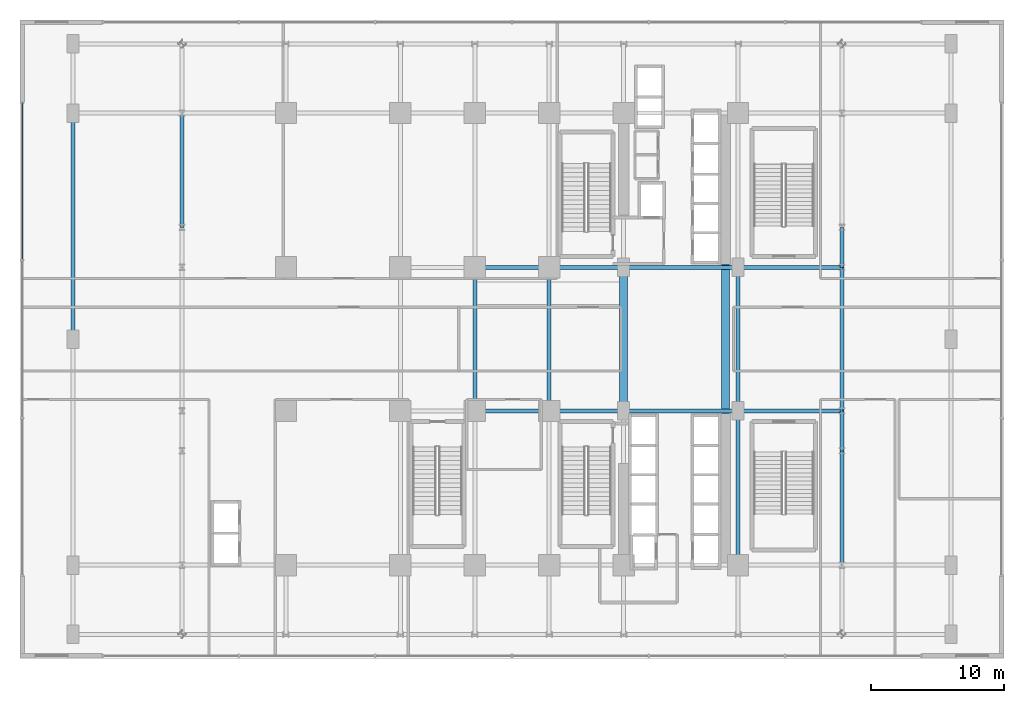
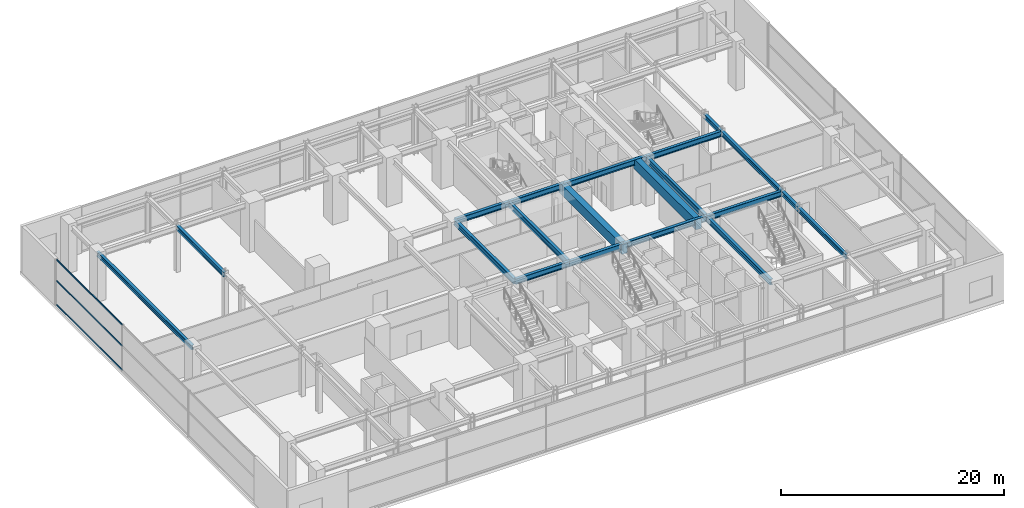
# One storey, part 13 of 32: 20 beams, 3 members, 1 element without a shape of its own.
"""IFC4 building model written with IfcOpenShell, lengths in metres."""

import ifcopenshell
import ifcopenshell.guid

model = None  # the IFC model being written
_history = None  # IfcOwnerHistory: only IFC2X3 demands one
_inside = {}  # id of a spatial element -> (the spatial element, [elements in it])
_under = {}  # id of a project, library or spatial element -> (it, [spatial elements below it])
_declared = {}  # id of a project -> (the project, [libraries it declares])
_typed = {}  # id of a type object -> (the type object, [elements of that type])
_made_of = {}  # id of a material, layer set ... -> (it, [elements and type objects made of it])


def new_model(schema):
    """Start an empty IFC model of exactly this schema.

    Asked for "IFC4X3", IfcOpenShell would pick the latest addendum, in which some entities
    have other attributes; the version numbers below select the first issue.
    IFC2X3 requires an IfcOwnerHistory on every rooted entity: one is made here for all.
    """
    global model, _history
    if schema == "IFC4X3":
        model = ifcopenshell.file(schema_version=(4, 3, 0, 0))
    else:
        model = ifcopenshell.file(schema=schema)
    _inside.clear()
    _under.clear()
    _declared.clear()
    _typed.clear()
    _made_of.clear()
    _history = None
    if model.schema == "IFC2X3":
        org = make("IfcOrganization", Name="unknown")
        user = make(
            "IfcPersonAndOrganization",
            ThePerson=make("IfcPerson", FamilyName="unknown"),
            TheOrganization=org,
        )
        app = make(
            "IfcApplication",
            ApplicationDeveloper=org,
            Version="unknown",
            ApplicationFullName="unknown",
            ApplicationIdentifier="unknown",
        )
        _history = make(
            "IfcOwnerHistory",
            OwningUser=user,
            OwningApplication=app,
            ChangeAction="ADDED",
            CreationDate=0,
        )
    return model


def make(cls, **values):
    """One entity of the class cls with the attributes given. An attribute that is None is left unset."""
    return model.create_entity(
        cls, **{name: value for name, value in values.items() if value is not None}
    )


def rooted(cls, **values):
    """An entity with a GlobalId (a new one), such as an element, a storey or a relation."""
    return make(cls, GlobalId=ifcopenshell.guid.new(), OwnerHistory=_history, **values)


def si_unit(unit_type, name, prefix=None):
    """IfcSIUnit, for example si_unit("LENGTHUNIT", "METRE", prefix="MILLI")."""
    return make("IfcSIUnit", UnitType=unit_type, Prefix=prefix, Name=name)


def assignment(units):
    """IfcUnitAssignment: the units of a project."""
    return None if units is None else make("IfcUnitAssignment", Units=units)


def point(xyz):
    """IfcCartesianPoint."""
    return None if xyz is None else make("IfcCartesianPoint", Coordinates=xyz)


def direction(xyz):
    """IfcDirection."""
    return None if xyz is None else make("IfcDirection", DirectionRatios=xyz)


def frame(location, z_axis=None, x_axis=None):
    """IfcAxis2Placement3D, a coordinate frame: its origin and axes. An axis left out is left unset."""
    return make(
        "IfcAxis2Placement3D",
        Location=point(location),
        Axis=direction(z_axis),
        RefDirection=direction(x_axis),
    )


def frame_2d(location, x_axis=None):
    """IfcAxis2Placement2D, a coordinate frame in the plane: its origin and x axis."""
    return make(
        "IfcAxis2Placement2D", Location=point(location), RefDirection=direction(x_axis)
    )


def origin():
    """The frame at (0, 0, 0) with its axes left unset."""
    return frame((0.0, 0.0, 0.0))


def origin_2d():
    """The frame at (0, 0) in the plane with its x axis left unset."""
    return frame_2d((0.0, 0.0))


def place(relative_to, where):
    """IfcLocalPlacement: puts the frame where relative to a parent placement (None: the world)."""
    return make(
        "IfcLocalPlacement", PlacementRelTo=relative_to, RelativePlacement=where
    )


def context(
    kind, dimensions, precision=None, world=None, true_north=None, identifier=None
):
    """IfcGeometricRepresentationContext, for example the 3D "Model" context."""
    return make(
        "IfcGeometricRepresentationContext",
        ContextIdentifier=identifier,
        ContextType=kind,
        CoordinateSpaceDimension=dimensions,
        Precision=precision,
        WorldCoordinateSystem=world,
        TrueNorth=true_north,
    )


def subcontext(parent, identifier, kind, view, scale=None):
    """IfcGeometricRepresentationSubContext, for example "Body" below "Model"."""
    return make(
        "IfcGeometricRepresentationSubContext",
        ContextIdentifier=identifier,
        ContextType=kind,
        ParentContext=parent,
        TargetScale=scale,
        TargetView=view,
    )


def project(units=None, contexts=None):
    """IfcProject with its units and contexts."""
    return rooted(
        "IfcProject",
        Name="project",
        RepresentationContexts=contexts,
        UnitsInContext=assignment(units),
    )


def spatial(cls, under=None, at=None, **own):
    """A site, building, storey or space (cls), placed at a placement, below another one or the project."""
    s = rooted(cls, ObjectPlacement=at, **own)
    if under is not None:
        _under.setdefault(under.id(), (under, []))[1].append(s)
    return s


def profile(cls, at=None, kind="AREA", **sizes):
    """A parametric profile (cls). Its sizes go by their IFC names, for example OverallWidth=200.0."""
    return make(cls, ProfileType=kind, Position=at, **sizes)


def rectangle(**sizes):
    """IfcRectangleProfileDef."""
    return profile("IfcRectangleProfileDef", **sizes)


def hollow_rectangle(**sizes):
    """IfcRectangleHollowProfileDef."""
    return profile("IfcRectangleHollowProfileDef", **sizes)


def i_section(**sizes):
    """IfcIShapeProfileDef."""
    return profile("IfcIShapeProfileDef", **sizes)


def extrude(swept, where, along, depth):
    """IfcExtrudedAreaSolid: the profile swept, set in the frame where, extruded along a direction by depth."""
    return make(
        "IfcExtrudedAreaSolid",
        SweptArea=swept,
        Position=where,
        ExtrudedDirection=direction(along),
        Depth=depth,
    )


def shape(context_of_items, identifier, shape_type, items):
    """IfcShapeRepresentation: the items that make up one representation, for example the "Body"."""
    return make(
        "IfcShapeRepresentation",
        ContextOfItems=context_of_items,
        RepresentationIdentifier=identifier,
        RepresentationType=shape_type,
        Items=items,
    )


def source(mapping_origin, context_of_items, identifier, shape_type, items):
    """IfcRepresentationMap: a shape defined once, which mapped items show again and again."""
    return make(
        "IfcRepresentationMap",
        MappingOrigin=mapping_origin,
        MappedRepresentation=shape(context_of_items, identifier, shape_type, items),
    )


def transform(
    local_origin,
    x_axis=None,
    y_axis=None,
    z_axis=None,
    scale=None,
    scale2=None,
    scale3=None,
    uniform=True,
):
    """IfcCartesianTransformationOperator3D, or its non-uniform kind. x_axis, y_axis, z_axis: its Axis1, 2, 3."""
    if uniform:
        return make(
            "IfcCartesianTransformationOperator3D",
            Axis1=direction(x_axis),
            Axis2=direction(y_axis),
            LocalOrigin=point(local_origin),
            Scale=scale,
            Axis3=direction(z_axis),
        )
    return make(
        "IfcCartesianTransformationOperator3DnonUniform",
        Axis1=direction(x_axis),
        Axis2=direction(y_axis),
        LocalOrigin=point(local_origin),
        Scale=scale,
        Axis3=direction(z_axis),
        Scale2=scale2,
        Scale3=scale3,
    )


def mapped(mapping_source, mapping_target):
    """IfcMappedItem: shows the shape of a source again, moved by a transform."""
    return make(
        "IfcMappedItem", MappingSource=mapping_source, MappingTarget=mapping_target
    )


def material(Name=None, Category=None):
    """IfcMaterial."""
    return make("IfcMaterial", Name=Name, Category=Category)


def material_profile(
    of_material, cross_section, Name=None, Category=None, Priority=None
):
    """IfcMaterialProfile: a cross section and its material."""
    return make(
        "IfcMaterialProfile",
        Name=Name,
        Material=of_material,
        Profile=cross_section,
        Priority=Priority,
        Category=Category,
    )


def profile_set(profiles, Name=None, composite=None):
    """IfcMaterialProfileSet."""
    return make(
        "IfcMaterialProfileSet",
        Name=Name,
        MaterialProfiles=profiles,
        CompositeProfile=composite,
    )


def made_of(thing, what):
    """Note that an element or type object is made of a material, layer set ...; save() writes the relation."""
    if what is not None:
        _made_of.setdefault(what.id(), (what, []))[1].append(thing)
    return thing


def type_object(cls, material=None, **own):
    """A type object (cls), such as IfcWallType, which elements share."""
    return made_of(rooted(cls, **own), material)


def element(
    cls,
    number,
    at=None,
    inside=None,
    cuts=None,
    type_object=None,
    material=None,
    context=None,
    identifier="Body",
    shape_type=None,
    held_by="IfcProductDefinitionShape",
    body=None,
    shapes=None,
    **own,
):
    """One element of the class cls, such as IfcWall. Its Tag is "e" and its number.

    at: its placement. inside: the storey or other place that contains it. cuts: it is an
    opening in that element (IfcRelVoidsElement). A single representation is given by context,
    identifier, shape_type and body (its items); several are given by shapes. held_by: the class
    of the entity that holds the representations. save() writes the other relations.
    """
    e = rooted(cls, Tag="e%d" % number, ObjectPlacement=at, **own)
    if body is not None:
        shapes = [shape(context, identifier, shape_type, body)]
    if shapes is not None:
        e.Representation = make(held_by, Representations=shapes)
    if inside is not None:
        _inside.setdefault(inside.id(), (inside, []))[1].append(e)
    if cuts is not None:
        rooted(
            "IfcRelVoidsElement", RelatingBuildingElement=cuts, RelatedOpeningElement=e
        )
    if type_object is not None:
        _typed.setdefault(type_object.id(), (type_object, []))[1].append(e)
    return made_of(e, material)


def aggregate(whole, parts):
    """IfcRelAggregates: a whole, such as a stair, and the parts it consists of."""
    return rooted("IfcRelAggregates", RelatingObject=whole, RelatedObjects=parts)


def save(model, path):
    """Write the relations noted so far, then the file.

    IfcRelAggregates (storeys below a building ...), IfcRelContainedInSpatialStructure (elements
    in a storey), IfcRelDefinesByType, IfcRelAssociatesMaterial and IfcRelDeclares: one each for
    every whole, place, type object, material and project.
    """
    for whole, parts in _under.values():
        aggregate(whole, parts)
    for where, things in _inside.values():
        rooted(
            "IfcRelContainedInSpatialStructure",
            RelatedElements=things,
            RelatingStructure=where,
        )
    for kind, things in _typed.values():
        rooted("IfcRelDefinesByType", RelatedObjects=things, RelatingType=kind)
    for what, things in _made_of.values():
        rooted("IfcRelAssociatesMaterial", RelatedObjects=things, RelatingMaterial=what)
    for by, libraries in _declared.values():
        rooted("IfcRelDeclares", RelatingContext=by, RelatedDefinitions=libraries)
    model.write(path)


model = new_model("IFC4")

# Units and contexts
model_context = context("Model", 3, precision=1e-05, world=origin(), true_north=direction((0.0, 1.0)))
body_context = subcontext(model_context, "Body", "Model", "MODEL_VIEW")
ifc_project = project(units=[si_unit("LENGTHUNIT", "METRE"), si_unit("AREAUNIT", "SQUARE_METRE"), si_unit("VOLUMEUNIT", "CUBIC_METRE"), si_unit("PLANEANGLEUNIT", "RADIAN"), si_unit("MASSUNIT", "GRAM", prefix="KILO")], contexts=[model_context])

# Site, building, storey
site_placement = place(None, origin())
site = spatial("IfcSite", under=ifc_project, at=site_placement, CompositionType="ELEMENT")
building_placement = place(site_placement, origin())
building = spatial("IfcBuilding", under=site, at=building_placement, Name="Nahalor Promenade Grand Hotel", CompositionType="ELEMENT")
storey_placement = place(building_placement, frame((0.0, 0.0, 10.800048828125)))
storey = spatial("IfcBuildingStorey", under=building, at=storey_placement, Name="L02", CompositionType="ELEMENT", Elevation=10.800048828125)

# Beams
ifc_material_1 = material(Name="Concrete B-60 (C50/60)", Category="concrete")
ifc_material_profile_1 = material_profile(ifc_material_1, rectangle(XDim=0.6, YDim=1.1, at=origin_2d()), Name="RC 600x1100")
ifc_profile_set_1 = profile_set([ifc_material_profile_1], Name="Concrete B-60 (C50/60)")
beam_type_1 = type_object("IfcBeamType", Name="Beam-Lintel-RC1100", PredefinedType="LINTEL", material=ifc_profile_set_1)
shared_shape_1 = source(origin(), body_context, "Body", "SweptSolid", [
    extrude(rectangle(XDim=0.6, YDim=1.1, at=origin_2d()), origin(), (0.0, 0.0, 1.0), 11.2001953125),
])
for number, where, z_axis, x_axis, name in (
    (1, (8.39990234375, -5.60009765625, 4.510009765625), (0.0, 1.0, 0.0), (-1.0, 0.0, 0.0), "BM-L02-LINT-W"),
    (2, (16.050048828125, -5.60009765625, 4.510009765625), (0.0, 1.0, 0.0), (-1.0, 0.0, 0.0), "BM-L02-LINT-E"),
):
    element("IfcBeam", number, at=place(storey_placement, frame(where, z_axis=z_axis, x_axis=x_axis)), inside=storey, type_object=beam_type_1, Name=name, PredefinedType="LINTEL", context=body_context, shape_type="MappedRepresentation", body=[
        mapped(shared_shape_1, transform((0.0, 0.0, 0.0), scale=1.0)),
    ])
ifc_material_2 = material(Name="Steel S355JR", Category="steel")
ifc_material_profile_2 = material_profile(ifc_material_2, i_section(OverallWidth=0.3, OverallDepth=0.6, WebThickness=0.0155, FlangeThickness=0.03, at=origin_2d()), Name="HEB 600")
ifc_profile_set_2 = profile_set([ifc_material_profile_2], Name="Steel S355JR")
beam_type_2 = type_object("IfcBeamType", Name="Beam-Girder-HEB600", PredefinedType="BEAM", material=ifc_profile_set_2)
shared_shape_2 = source(origin(), body_context, "Body", "SweptSolid", [
    extrude(i_section(OverallWidth=0.3, OverallDepth=0.6, WebThickness=0.0155, FlangeThickness=0.03, at=origin_2d()), origin(), (0.0, 0.0, 1.0), 7.800048828125),
])
for number, where, z_axis, x_axis, name in (
    (3, (17.0, -5.39990234375, 4.760009765625), (1.0, 0.0, 0.0), (0.0, 1.0, 0.0), "BM-L02-GX-1-4"),
    (4, (17.0, 5.39990234375, 4.760009765625), (1.0, 0.0, 0.0), (0.0, 1.0, 0.0), "BM-L02-GX-2-4"),
):
    element("IfcBeam", number, at=place(storey_placement, frame(where, z_axis=z_axis, x_axis=x_axis)), inside=storey, type_object=beam_type_2, Name=name, PredefinedType="BEAM", context=body_context, shape_type="MappedRepresentation", body=[
        mapped(shared_shape_2, transform((0.0, 0.0, 0.0), scale=1.0)),
    ])
shared_shape_3 = source(origin(), body_context, "Body", "SweptSolid", [
    extrude(i_section(OverallWidth=0.3, OverallDepth=0.6, WebThickness=0.0155, FlangeThickness=0.03, at=origin_2d()), origin(), (0.0, 0.0, 1.0), 8.60009765625),
])
for number, where, z_axis, x_axis, name in (
    (5, (8.39990234375, -5.39990234375, 4.760009765625), (1.0, 0.0, 0.0), (0.0, 1.0, 0.0), "BM-L02-GX-1-3"),
    (6, (8.39990234375, 5.39990234375, 4.760009765625), (1.0, 0.0, 0.0), (0.0, 1.0, 0.0), "BM-L02-GX-2-3"),
):
    element("IfcBeam", number, at=place(storey_placement, frame(where, z_axis=z_axis, x_axis=x_axis)), inside=storey, type_object=beam_type_2, Name=name, PredefinedType="BEAM", context=body_context, shape_type="MappedRepresentation", body=[
        mapped(shared_shape_3, transform((0.0, 0.0, 0.0), scale=1.0)),
    ])
shared_shape_4 = source(origin(), body_context, "Body", "SweptSolid", [
    extrude(i_section(OverallWidth=0.3, OverallDepth=0.6, WebThickness=0.0155, FlangeThickness=0.03, at=origin_2d()), origin(), (0.0, 0.0, 1.0), 5.599853515625),
])
for number, where, z_axis, x_axis, name in (
    (7, (2.800048828125, -5.39990234375, 4.760009765625), (1.0, 0.0, 0.0), (0.0, 1.0, 0.0), "BM-L02-GX-1-2"),
    (8, (2.800048828125, 5.39990234375, 4.760009765625), (1.0, 0.0, 0.0), (0.0, 1.0, 0.0), "BM-L02-GX-2-2"),
):
    element("IfcBeam", number, at=place(storey_placement, frame(where, z_axis=z_axis, x_axis=x_axis)), inside=storey, type_object=beam_type_2, Name=name, PredefinedType="BEAM", context=body_context, shape_type="MappedRepresentation", body=[
        mapped(shared_shape_4, transform((0.0, 0.0, 0.0), scale=1.0)),
    ])
shared_shape_5 = source(origin(), body_context, "Body", "SweptSolid", [
    extrude(i_section(OverallWidth=0.3, OverallDepth=0.6, WebThickness=0.0155, FlangeThickness=0.03, at=origin_2d()), origin(), (0.0, 0.0, 1.0), 5.60009765625),
])
for number, where, z_axis, x_axis, name in (
    (9, (-2.800048828125, -5.39990234375, 4.760009765625), (1.0, 0.0, 0.0), (0.0, 1.0, 0.0), "BM-L02-GX-1-1"),
    (10, (-2.800048828125, 5.39990234375, 4.760009765625), (1.0, 0.0, 0.0), (0.0, 1.0, 0.0), "BM-L02-GX-2-1"),
):
    element("IfcBeam", number, at=place(storey_placement, frame(where, z_axis=z_axis, x_axis=x_axis)), inside=storey, type_object=beam_type_2, Name=name, PredefinedType="BEAM", context=body_context, shape_type="MappedRepresentation", body=[
        mapped(shared_shape_5, transform((0.0, 0.0, 0.0), scale=1.0)),
    ])
shared_shape_6 = source(origin(), body_context, "Body", "SweptSolid", [
    extrude(i_section(OverallWidth=0.3, OverallDepth=0.6, WebThickness=0.0155, FlangeThickness=0.03, at=origin_2d()), origin(), (0.0, 0.0, 1.0), 11.60009765625),
])
beam_1_placement = place(storey_placement, frame((17.0, -17.0, 4.760009765625), z_axis=(0.0, 1.0, 0.0), x_axis=(-1.0, 0.0, 0.0)))
element("IfcBeam", 11, at=beam_1_placement, inside=storey, type_object=beam_type_2, Name="BM-L02-GY-5-1", PredefinedType="BEAM", context=body_context, shape_type="MappedRepresentation", body=[
    mapped(shared_shape_6, transform((0.0, 0.0, 0.0), scale=1.0)),
])
shared_shape_7 = source(origin(), body_context, "Body", "SweptSolid", [
    extrude(i_section(OverallWidth=0.3, OverallDepth=0.6, WebThickness=0.0155, FlangeThickness=0.03, at=origin_2d()), origin(), (0.0, 0.0, 1.0), 10.7998046875),
])
for number, where, z_axis, x_axis, name in (
    (12, (-2.800048828125, -5.39990234375, 4.760009765625), (0.0, 1.0, 0.0), (-1.0, 0.0, 0.0), "BM-L02-GY-2-2"),
    (13, (2.800048828125, -5.39990234375, 4.760009765625), (0.0, 1.0, 0.0), (-1.0, 0.0, 0.0), "BM-L02-GY-3-2"),
    (14, (17.0, -5.39990234375, 4.760009765625), (0.0, 1.0, 0.0), (-1.0, 0.0, 0.0), "BM-L02-GY-5-2"),
):
    element("IfcBeam", number, at=place(storey_placement, frame(where, z_axis=z_axis, x_axis=x_axis)), inside=storey, type_object=beam_type_2, Name=name, PredefinedType="BEAM", context=body_context, shape_type="MappedRepresentation", body=[
        mapped(shared_shape_7, transform((0.0, 0.0, 0.0), scale=1.0)),
    ])
ifc_material_profile_3 = material_profile(ifc_material_2, i_section(OverallWidth=0.3, OverallDepth=0.5, WebThickness=0.0145, FlangeThickness=0.028, at=origin_2d()), Name="HEB 500")
ifc_profile_set_3 = profile_set([ifc_material_profile_3], Name="Steel S355JR")
beam_type_3 = type_object("IfcBeamType", Name="Beam-Spandrel-HEB500", PredefinedType="SPANDREL", material=ifc_profile_set_3)
shared_shape_8 = source(origin(), body_context, "Body", "SweptSolid", [
    extrude(i_section(OverallWidth=0.3, OverallDepth=0.5, WebThickness=0.0145, FlangeThickness=0.028, at=origin_2d()), origin(), (0.0, 0.0, 1.0), 8.60009765625),
])
for number, where, z_axis, x_axis, name in (
    (15, (-24.800048828125, 8.39990234375, 4.81005859375), (0.0, 1.0, 0.0), (-1.0, 0.0, 0.0), "BM-L02-SP-W-4"),
    (16, (24.800048828125, -17.0, 4.81005859375), (0.0, 1.0, 0.0), (-1.0, 0.0, 0.0), "BM-L02-SP-E-0"),
):
    element("IfcBeam", number, at=place(storey_placement, frame(where, z_axis=z_axis, x_axis=x_axis)), inside=storey, type_object=beam_type_3, Name=name, PredefinedType="SPANDREL", context=body_context, shape_type="MappedRepresentation", body=[
        mapped(shared_shape_8, transform((0.0, 0.0, 0.0), scale=1.0)),
    ])
shared_shape_9 = source(origin(), body_context, "Body", "SweptSolid", [
    extrude(i_section(OverallWidth=0.3, OverallDepth=0.5, WebThickness=0.0145, FlangeThickness=0.028, at=origin_2d()), origin(), (0.0, 0.0, 1.0), 3.0),
])
for number, where, z_axis, x_axis, name in (
    (17, (24.800048828125, -8.39990234375, 4.81005859375), (0.0, 1.0, 0.0), (-1.0, 0.0, 0.0), "BM-L02-SP-E-1"),
    (18, (24.800048828125, 5.39990234375, 4.81005859375), (0.0, 1.0, 0.0), (-1.0, 0.0, 0.0), "BM-L02-SP-E-3"),
):
    element("IfcBeam", number, at=place(storey_placement, frame(where, z_axis=z_axis, x_axis=x_axis)), inside=storey, type_object=beam_type_3, Name=name, PredefinedType="SPANDREL", context=body_context, shape_type="MappedRepresentation", body=[
        mapped(shared_shape_9, transform((0.0, 0.0, 0.0), scale=1.0)),
    ])
shared_shape_10 = source(origin(), body_context, "Body", "SweptSolid", [
    extrude(i_section(OverallWidth=0.3, OverallDepth=0.5, WebThickness=0.0145, FlangeThickness=0.028, at=origin_2d()), origin(), (0.0, 0.0, 1.0), 10.7998046875),
])
beam_2_placement = place(storey_placement, frame((24.800048828125, -5.39990234375, 4.81005859375), z_axis=(0.0, 1.0, 0.0), x_axis=(-1.0, 0.0, 0.0)))
element("IfcBeam", 19, at=beam_2_placement, inside=storey, type_object=beam_type_3, Name="BM-L02-SP-E-2", PredefinedType="SPANDREL", context=body_context, shape_type="MappedRepresentation", body=[
    mapped(shared_shape_10, transform((0.0, 0.0, 0.0), scale=1.0)),
])
shared_shape_11 = source(origin(), body_context, "Body", "SweptSolid", [
    extrude(i_section(OverallWidth=0.3, OverallDepth=0.5, WebThickness=0.0145, FlangeThickness=0.028, at=origin_2d()), origin(), (0.0, 0.0, 1.0), 17.0),
])
beam_3_placement = place(storey_placement, frame((-33.0, 0.0, 4.81005859375), z_axis=(0.0, 1.0, 0.0), x_axis=(-1.0, 0.0, 0.0)))
element("IfcBeam", 20, at=beam_3_placement, inside=storey, type_object=beam_type_3, Name="BM-L02-PW-2", PredefinedType="SPANDREL", context=body_context, shape_type="MappedRepresentation", body=[
    mapped(shared_shape_11, transform((0.0, 0.0, 0.0), scale=1.0)),
])

# Curtain wall, members
ifc_material_3 = material(Name="Anodised Bronze Aluminium EN AW-6063 T6", Category="aluminium")
curtain_wall_type = type_object("IfcCurtainWallType", Name="CW1 Waterfront Podium Bronze Arcade Curtain Wall", PredefinedType="USERDEFINED", material=ifc_material_3)
curtain_wall_placement = place(storey_placement, origin())
curtain_wall = element("IfcCurtainWall", 21, at=curtain_wall_placement, inside=storey, type_object=curtain_wall_type, Name="L02 Curtain Wall CW-L02-W", ObjectType="UNITISED_CURTAIN_WALL", PredefinedType="USERDEFINED")
ifc_material_profile_4 = material_profile(ifc_material_3, hollow_rectangle(XDim=0.08, YDim=0.16, WallThickness=0.004, at=origin_2d()), Name="CWT 80x160x4")
ifc_profile_set_4 = profile_set([ifc_material_profile_4], Name="Anodised Bronze Aluminium EN AW-6063 T6")
member_type = type_object("IfcMemberType", Name="CWT1 Podium Bronze Transom 80x160", PredefinedType="USERDEFINED", material=ifc_profile_set_4)
shared_shape_12 = source(origin(), body_context, "Body", "SweptSolid", [
    extrude(hollow_rectangle(XDim=0.08, YDim=0.16, WallThickness=0.004, at=origin_2d()), origin(), (0.0, 0.0, 1.0), 11.760009765625),
])
member_1_placement = place(storey_placement, frame((-36.820068359375, 5.97998046875, 0.079833984375), z_axis=(0.0, 1.0, 0.0), x_axis=(-1.0, 0.0, 0.0)))
member_1 = element("IfcMember", 22, at=member_1_placement, type_object=member_type, Name="CW-L02-W Transom 2-0", ObjectType="TRANSOM", PredefinedType="USERDEFINED", context=body_context, shape_type="MappedRepresentation", body=[
    mapped(shared_shape_12, transform((0.0, 0.0, 0.0), scale=1.0)),
])
member_2_placement = place(storey_placement, frame((-36.820068359375, 5.97998046875, 2.699951171875), z_axis=(0.0, 1.0, 0.0), x_axis=(-1.0, 0.0, 0.0)))
member_2 = element("IfcMember", 23, at=member_2_placement, type_object=member_type, Name="CW-L02-W Transom 2-1", ObjectType="TRANSOM", PredefinedType="USERDEFINED", context=body_context, shape_type="MappedRepresentation", body=[
    mapped(shared_shape_12, transform((0.0, 0.0, 0.0), scale=1.0)),
])
member_3_placement = place(storey_placement, frame((-36.820068359375, 5.97998046875, 4.97998046875), z_axis=(0.0, 1.0, 0.0), x_axis=(-1.0, 0.0, 0.0)))
member_3 = element("IfcMember", 24, at=member_3_placement, type_object=member_type, Name="CW-L02-W Transom 2-2", ObjectType="TRANSOM", PredefinedType="USERDEFINED", context=body_context, shape_type="MappedRepresentation", body=[
    mapped(shared_shape_12, transform((0.0, 0.0, 0.0), scale=1.0)),
])
aggregate(curtain_wall, [member_1, member_2, member_3])

save(model, "model.ifc")
